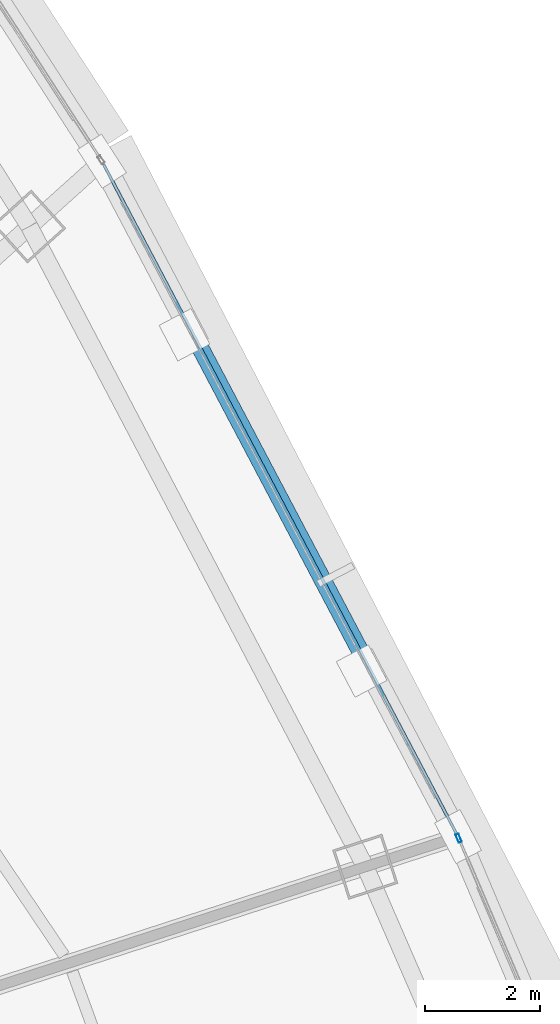
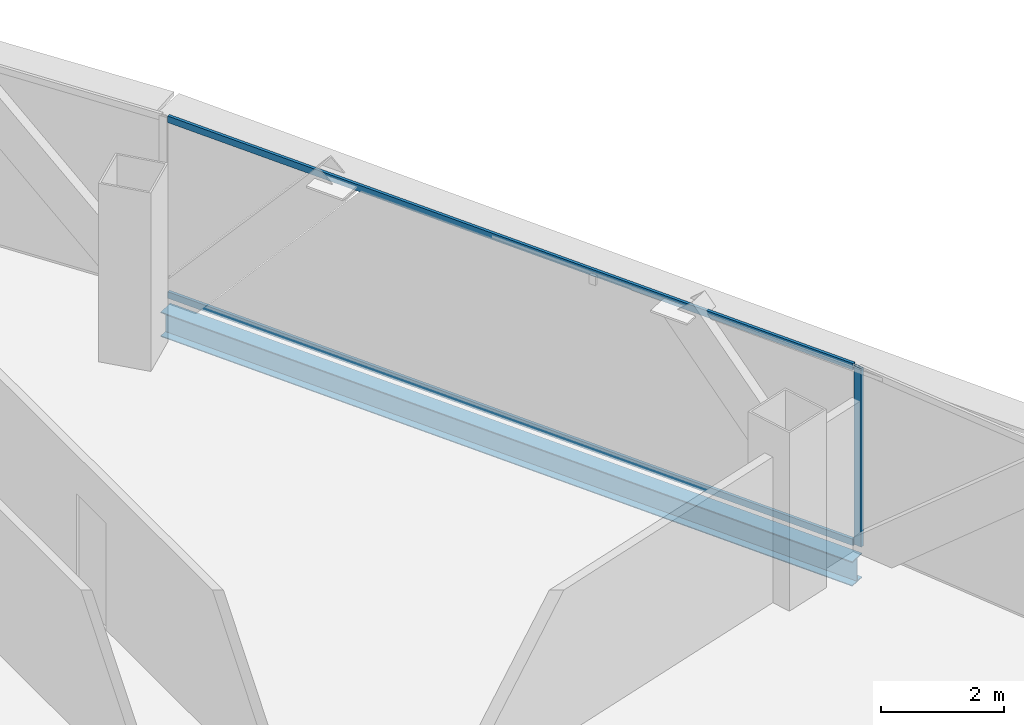
# One storey, part 25 of 37: 3 members, 1 beam, 2 elements without a shape of their own.
"""IFC4 building model written with IfcOpenShell, lengths in metres."""

from ifc_helpers import new_model, si_unit, direction, frame, origin, origin_2d, place, context, subcontext, project, spatial, hollow_rectangle, i_section, extrude, source, transform, mapped, material, layer, layer_set, material_profile, profile_set, type_object, element, aggregate, save


model = new_model("IFC4")

# Units and contexts
model_context = context("Model", 3, precision=1e-05, world=origin(), true_north=direction((0.0, 1.0)))
body_context = subcontext(model_context, "Body", "Model", "MODEL_VIEW")
ifc_project = project(units=[si_unit("LENGTHUNIT", "METRE"), si_unit("AREAUNIT", "SQUARE_METRE"), si_unit("VOLUMEUNIT", "CUBIC_METRE"), si_unit("PLANEANGLEUNIT", "RADIAN"), si_unit("MASSUNIT", "GRAM", prefix="KILO"), si_unit("THERMODYNAMICTEMPERATUREUNIT", "KELVIN"), si_unit("POWERUNIT", "WATT")], contexts=[model_context])

# Site, building, storey
site_placement = place(None, origin())
site = spatial("IfcSite", under=ifc_project, at=site_placement, CompositionType="ELEMENT")
building_placement = place(site_placement, origin())
building = spatial("IfcBuilding", under=site, at=building_placement, Name="Yunzhuo Pagoda Commons", CompositionType="ELEMENT")
storey_placement = place(building_placement, frame((0.0, 0.0, 207.56005859375)))
storey = spatial("IfcBuildingStorey", under=building, at=storey_placement, Name="L52", CompositionType="ELEMENT", Elevation=207.56005859375)

# Beam
ifc_material_1 = material(Name="Structural steel Q355B", Category="steel")
ifc_material_profile_1 = material_profile(ifc_material_1, i_section(OverallWidth=0.300048828125, OverallDepth=0.488037109375, WebThickness=0.010986328125, FlangeThickness=0.01806640625, at=origin_2d()), Name="Structural steel Q355B")
ifc_profile_set_1 = profile_set([ifc_material_profile_1], Name="Structural steel Q355B")
beam_type = type_object("IfcBeamType", Name="B-SP1 Beam HM 488x300x11x18", PredefinedType="BEAM", material=ifc_profile_set_1)
shared_shape_1 = source(origin(), body_context, "Body", "SweptSolid", [
    extrude(i_section(OverallWidth=0.300048828125, OverallDepth=0.488037109375, WebThickness=0.010986328125, FlangeThickness=0.01806640625, at=origin_2d()), origin(), (0.0, 0.0, 1.0), 13.281982421875),
])
beam_placement = place(storey_placement, frame((78.107421875, 43.482421875, -0.504150390625), z_axis=(-0.466373597009, 0.88458785206, 0.0), x_axis=(-0.88458785206, -0.466373597009, 0.0)))
element("IfcBeam", 1, at=beam_placement, inside=storey, type_object=beam_type, Name="L52 facade edge spandrel beam F2.2", PredefinedType="BEAM", context=body_context, shape_type="MappedRepresentation", body=[
    mapped(shared_shape_1, transform((0.0, 0.0, 0.0), scale=1.0)),
])

# Curtain wall, member
ifc_material_2 = material(Name="Anodized aluminium 6063-T6", Category="aluminium")
ifc_layer = layer(ifc_material_2, 0.14990234375)
ifc_layer_set = layer_set([ifc_layer], Name="Anodized aluminium 6063-T6")
curtain_wall_type = type_object("IfcCurtainWallType", Name="CW-MID Mid-Zone Ribbon Curtain Wall", PredefinedType="NOTDEFINED", material=ifc_layer_set)
curtain_wall_1_placement = place(storey_placement, origin())
curtain_wall_1 = element("IfcCurtainWall", 2, at=curtain_wall_1_placement, inside=storey, type_object=curtain_wall_type, Name="L52 curtain wall CW-L52-F2B2", PredefinedType="NOTDEFINED")
ifc_material_profile_2 = material_profile(ifc_material_2, hollow_rectangle(XDim=0.06005859375, YDim=0.14990234375, WallThickness=0.00390625, at=origin_2d()), Name="Anodized aluminium 6063-T6")
ifc_profile_set_2 = profile_set([ifc_material_profile_2], Name="Anodized aluminium 6063-T6")
member_type_1 = type_object("IfcMemberType", Name="CW-MID-M Mullion RHS 150x60x4", PredefinedType="MULLION", material=ifc_profile_set_2)
shared_shape_2 = source(origin(), body_context, "Body", "SweptSolid", [
    extrude(hollow_rectangle(XDim=0.06005859375, YDim=0.14990234375, WallThickness=0.00390625, at=origin_2d()), origin(), (0.0, 0.0, 1.0), 3.5400390625),
])
member_1_placement = place(storey_placement, frame((78.119140625, 43.454833984375, 0.0), z_axis=(0.0, 0.0, 1.0), x_axis=(-0.920824274127, -0.389977763697, 0.0)))
member_1 = element("IfcMember", 3, at=member_1_placement, type_object=member_type_1, Name="CW mullion 2", PredefinedType="MULLION", context=body_context, shape_type="MappedRepresentation", body=[
    mapped(shared_shape_2, transform((0.0, 0.0, 0.0), scale=1.0)),
])
aggregate(curtain_wall_1, [member_1])

# Curtain wall, members
curtain_wall_2_placement = place(storey_placement, origin())
curtain_wall_2 = element("IfcCurtainWall", 4, at=curtain_wall_2_placement, inside=storey, type_object=curtain_wall_type, Name="L52 curtain wall CW-L52-F2B3", PredefinedType="NOTDEFINED")
ifc_material_profile_3 = material_profile(ifc_material_2, hollow_rectangle(XDim=0.054931640625, YDim=0.1298828125, WallThickness=0.00341796875, at=origin_2d()), Name="Anodized aluminium 6063-T6")
ifc_profile_set_3 = profile_set([ifc_material_profile_3], Name="Anodized aluminium 6063-T6")
member_type_2 = type_object("IfcMemberType", Name="CW-MID-T Transom RHS 130x55x3.5", PredefinedType="USERDEFINED", material=ifc_profile_set_3)
shared_shape_3 = source(origin(), body_context, "Body", "SweptSolid", [
    extrude(hollow_rectangle(XDim=0.054931640625, YDim=0.1298828125, WallThickness=0.00341796875, at=origin_2d()), origin(), (0.0, 0.0, 1.0), 13.16162109375),
])
member_2_placement = place(storey_placement, frame((78.079345703125, 43.535888671875, 0.02734375), z_axis=(-0.46637168839, 0.884588858322, 0.0), x_axis=(-0.884588858322, -0.46637168839, 0.0)))
member_2 = element("IfcMember", 5, at=member_2_placement, type_object=member_type_2, Name="CW transom 1.1", ObjectType="TRANSOM", PredefinedType="USERDEFINED", context=body_context, shape_type="MappedRepresentation", body=[
    mapped(shared_shape_3, transform((0.0, 0.0, 0.0), scale=1.0)),
])
member_3_placement = place(storey_placement, frame((78.079345703125, 43.535888671875, 3.512451171875), z_axis=(-0.46637168839, 0.884588858322, 0.0), x_axis=(-0.884588858322, -0.46637168839, 0.0)))
member_3 = element("IfcMember", 6, at=member_3_placement, type_object=member_type_2, Name="CW transom 1.2", ObjectType="TRANSOM", PredefinedType="USERDEFINED", context=body_context, shape_type="MappedRepresentation", body=[
    mapped(shared_shape_3, transform((0.0, 0.0, 0.0), scale=1.0)),
])
aggregate(curtain_wall_2, [member_2, member_3])

save(model, "model.ifc")
